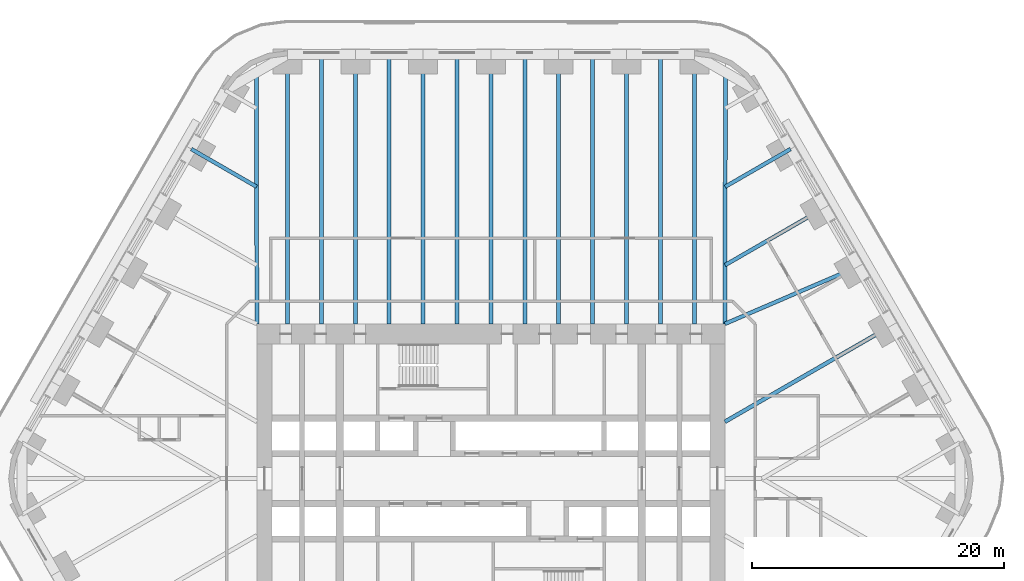
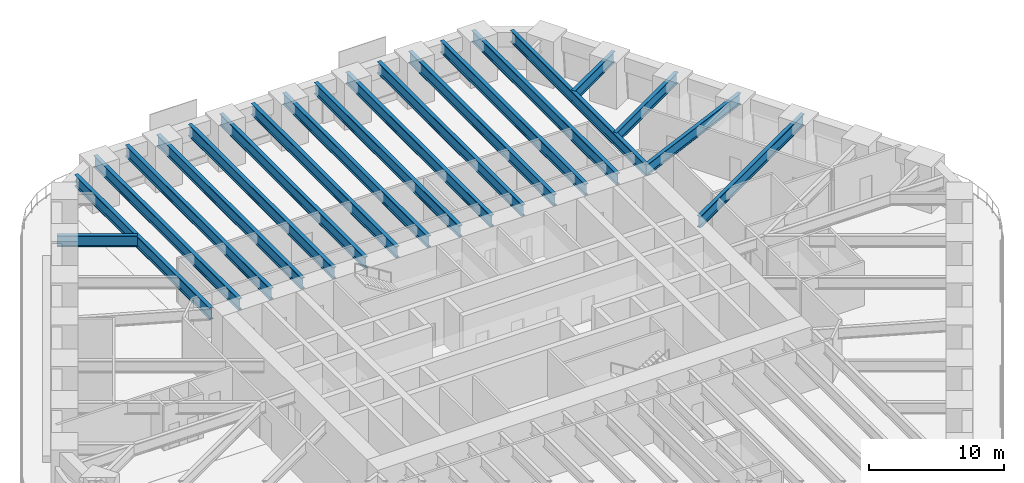
# One storey, part 10 of 23: 20 beams.
"""IFC4 building model written with IfcOpenShell, lengths in metres."""

import ifcopenshell
import ifcopenshell.guid

model = None  # the IFC model being written
_history = None  # IfcOwnerHistory: only IFC2X3 demands one
_inside = {}  # id of a spatial element -> (the spatial element, [elements in it])
_under = {}  # id of a project, library or spatial element -> (it, [spatial elements below it])
_declared = {}  # id of a project -> (the project, [libraries it declares])
_typed = {}  # id of a type object -> (the type object, [elements of that type])
_made_of = {}  # id of a material, layer set ... -> (it, [elements and type objects made of it])


def new_model(schema):
    """Start an empty IFC model of exactly this schema.

    Asked for "IFC4X3", IfcOpenShell would pick the latest addendum, in which some entities
    have other attributes; the version numbers below select the first issue.
    IFC2X3 requires an IfcOwnerHistory on every rooted entity: one is made here for all.
    """
    global model, _history
    if schema == "IFC4X3":
        model = ifcopenshell.file(schema_version=(4, 3, 0, 0))
    else:
        model = ifcopenshell.file(schema=schema)
    _inside.clear()
    _under.clear()
    _declared.clear()
    _typed.clear()
    _made_of.clear()
    _history = None
    if model.schema == "IFC2X3":
        org = make("IfcOrganization", Name="unknown")
        user = make(
            "IfcPersonAndOrganization",
            ThePerson=make("IfcPerson", FamilyName="unknown"),
            TheOrganization=org,
        )
        app = make(
            "IfcApplication",
            ApplicationDeveloper=org,
            Version="unknown",
            ApplicationFullName="unknown",
            ApplicationIdentifier="unknown",
        )
        _history = make(
            "IfcOwnerHistory",
            OwningUser=user,
            OwningApplication=app,
            ChangeAction="ADDED",
            CreationDate=0,
        )
    return model


def make(cls, **values):
    """One entity of the class cls with the attributes given. An attribute that is None is left unset."""
    return model.create_entity(
        cls, **{name: value for name, value in values.items() if value is not None}
    )


def rooted(cls, **values):
    """An entity with a GlobalId (a new one), such as an element, a storey or a relation."""
    return make(cls, GlobalId=ifcopenshell.guid.new(), OwnerHistory=_history, **values)


def si_unit(unit_type, name, prefix=None):
    """IfcSIUnit, for example si_unit("LENGTHUNIT", "METRE", prefix="MILLI")."""
    return make("IfcSIUnit", UnitType=unit_type, Prefix=prefix, Name=name)


def assignment(units):
    """IfcUnitAssignment: the units of a project."""
    return None if units is None else make("IfcUnitAssignment", Units=units)


def point(xyz):
    """IfcCartesianPoint."""
    return None if xyz is None else make("IfcCartesianPoint", Coordinates=xyz)


def direction(xyz):
    """IfcDirection."""
    return None if xyz is None else make("IfcDirection", DirectionRatios=xyz)


def frame(location, z_axis=None, x_axis=None):
    """IfcAxis2Placement3D, a coordinate frame: its origin and axes. An axis left out is left unset."""
    return make(
        "IfcAxis2Placement3D",
        Location=point(location),
        Axis=direction(z_axis),
        RefDirection=direction(x_axis),
    )


def frame_2d(location, x_axis=None):
    """IfcAxis2Placement2D, a coordinate frame in the plane: its origin and x axis."""
    return make(
        "IfcAxis2Placement2D", Location=point(location), RefDirection=direction(x_axis)
    )


def origin():
    """The frame at (0, 0, 0) with its axes left unset."""
    return frame((0.0, 0.0, 0.0))


def origin_2d():
    """The frame at (0, 0) in the plane with its x axis left unset."""
    return frame_2d((0.0, 0.0))


def place(relative_to, where):
    """IfcLocalPlacement: puts the frame where relative to a parent placement (None: the world)."""
    return make(
        "IfcLocalPlacement", PlacementRelTo=relative_to, RelativePlacement=where
    )


def context(
    kind, dimensions, precision=None, world=None, true_north=None, identifier=None
):
    """IfcGeometricRepresentationContext, for example the 3D "Model" context."""
    return make(
        "IfcGeometricRepresentationContext",
        ContextIdentifier=identifier,
        ContextType=kind,
        CoordinateSpaceDimension=dimensions,
        Precision=precision,
        WorldCoordinateSystem=world,
        TrueNorth=true_north,
    )


def subcontext(parent, identifier, kind, view, scale=None):
    """IfcGeometricRepresentationSubContext, for example "Body" below "Model"."""
    return make(
        "IfcGeometricRepresentationSubContext",
        ContextIdentifier=identifier,
        ContextType=kind,
        ParentContext=parent,
        TargetScale=scale,
        TargetView=view,
    )


def project(units=None, contexts=None):
    """IfcProject with its units and contexts."""
    return rooted(
        "IfcProject",
        Name="project",
        RepresentationContexts=contexts,
        UnitsInContext=assignment(units),
    )


def spatial(cls, under=None, at=None, **own):
    """A site, building, storey or space (cls), placed at a placement, below another one or the project."""
    s = rooted(cls, ObjectPlacement=at, **own)
    if under is not None:
        _under.setdefault(under.id(), (under, []))[1].append(s)
    return s


def profile(cls, at=None, kind="AREA", **sizes):
    """A parametric profile (cls). Its sizes go by their IFC names, for example OverallWidth=200.0."""
    return make(cls, ProfileType=kind, Position=at, **sizes)


def i_section(**sizes):
    """IfcIShapeProfileDef."""
    return profile("IfcIShapeProfileDef", **sizes)


def extrude(swept, where, along, depth):
    """IfcExtrudedAreaSolid: the profile swept, set in the frame where, extruded along a direction by depth."""
    return make(
        "IfcExtrudedAreaSolid",
        SweptArea=swept,
        Position=where,
        ExtrudedDirection=direction(along),
        Depth=depth,
    )


def shape(context_of_items, identifier, shape_type, items):
    """IfcShapeRepresentation: the items that make up one representation, for example the "Body"."""
    return make(
        "IfcShapeRepresentation",
        ContextOfItems=context_of_items,
        RepresentationIdentifier=identifier,
        RepresentationType=shape_type,
        Items=items,
    )


def material(Name=None, Category=None):
    """IfcMaterial."""
    return make("IfcMaterial", Name=Name, Category=Category)


def material_profile(
    of_material, cross_section, Name=None, Category=None, Priority=None
):
    """IfcMaterialProfile: a cross section and its material."""
    return make(
        "IfcMaterialProfile",
        Name=Name,
        Material=of_material,
        Profile=cross_section,
        Priority=Priority,
        Category=Category,
    )


def profile_set(profiles, Name=None, composite=None):
    """IfcMaterialProfileSet."""
    return make(
        "IfcMaterialProfileSet",
        Name=Name,
        MaterialProfiles=profiles,
        CompositeProfile=composite,
    )


def made_of(thing, what):
    """Note that an element or type object is made of a material, layer set ...; save() writes the relation."""
    if what is not None:
        _made_of.setdefault(what.id(), (what, []))[1].append(thing)
    return thing


def type_object(cls, material=None, **own):
    """A type object (cls), such as IfcWallType, which elements share."""
    return made_of(rooted(cls, **own), material)


def element(
    cls,
    number,
    at=None,
    inside=None,
    cuts=None,
    type_object=None,
    material=None,
    context=None,
    identifier="Body",
    shape_type=None,
    held_by="IfcProductDefinitionShape",
    body=None,
    shapes=None,
    **own,
):
    """One element of the class cls, such as IfcWall. Its Tag is "e" and its number.

    at: its placement. inside: the storey or other place that contains it. cuts: it is an
    opening in that element (IfcRelVoidsElement). A single representation is given by context,
    identifier, shape_type and body (its items); several are given by shapes. held_by: the class
    of the entity that holds the representations. save() writes the other relations.
    """
    e = rooted(cls, Tag="e%d" % number, ObjectPlacement=at, **own)
    if body is not None:
        shapes = [shape(context, identifier, shape_type, body)]
    if shapes is not None:
        e.Representation = make(held_by, Representations=shapes)
    if inside is not None:
        _inside.setdefault(inside.id(), (inside, []))[1].append(e)
    if cuts is not None:
        rooted(
            "IfcRelVoidsElement", RelatingBuildingElement=cuts, RelatedOpeningElement=e
        )
    if type_object is not None:
        _typed.setdefault(type_object.id(), (type_object, []))[1].append(e)
    return made_of(e, material)


def aggregate(whole, parts):
    """IfcRelAggregates: a whole, such as a stair, and the parts it consists of."""
    return rooted("IfcRelAggregates", RelatingObject=whole, RelatedObjects=parts)


def save(model, path):
    """Write the relations noted so far, then the file.

    IfcRelAggregates (storeys below a building ...), IfcRelContainedInSpatialStructure (elements
    in a storey), IfcRelDefinesByType, IfcRelAssociatesMaterial and IfcRelDeclares: one each for
    every whole, place, type object, material and project.
    """
    for whole, parts in _under.values():
        aggregate(whole, parts)
    for where, things in _inside.values():
        rooted(
            "IfcRelContainedInSpatialStructure",
            RelatedElements=things,
            RelatingStructure=where,
        )
    for kind, things in _typed.values():
        rooted("IfcRelDefinesByType", RelatedObjects=things, RelatingType=kind)
    for what, things in _made_of.values():
        rooted("IfcRelAssociatesMaterial", RelatedObjects=things, RelatingMaterial=what)
    for by, libraries in _declared.values():
        rooted("IfcRelDeclares", RelatingContext=by, RelatedDefinitions=libraries)
    model.write(path)


model = new_model("IFC4")

# Units and contexts
model_context = context("Model", 3, precision=1e-05, world=origin(), true_north=direction((0.0, 1.0)))
body_context = subcontext(model_context, "Body", "Model", "MODEL_VIEW")
ifc_project = project(units=[si_unit("LENGTHUNIT", "METRE"), si_unit("AREAUNIT", "SQUARE_METRE"), si_unit("VOLUMEUNIT", "CUBIC_METRE"), si_unit("PLANEANGLEUNIT", "RADIAN"), si_unit("MASSUNIT", "GRAM", prefix="KILO")], contexts=[model_context])

# Site, building, storey
site_placement = place(None, origin())
site = spatial("IfcSite", under=ifc_project, at=site_placement, CompositionType="ELEMENT")
building_placement = place(site_placement, origin())
building = spatial("IfcBuilding", under=site, at=building_placement, Name="Tarfa Lantern Tower", CompositionType="ELEMENT")
storey_placement = place(building_placement, frame((0.0, 0.0, 40.300048828125)))
storey = spatial("IfcBuildingStorey", under=building, at=storey_placement, Name="L08", CompositionType="ELEMENT", Elevation=40.300048828125)

# Beams
ifc_material = material(Name="Steel S460M", Category="steel")
ifc_material_profile_1 = material_profile(ifc_material, i_section(OverallWidth=0.302001953125, OverallDepth=1.008056640625, WebThickness=0.02099609375, FlangeThickness=0.0400390625, FilletRadius=0.030029296875, at=origin_2d()), Name="UB1016x305x349")
ifc_profile_set_1 = profile_set([ifc_material_profile_1], Name="Steel S460M")
beam_type_1 = type_object("IfcBeamType", Name="UB1016x305x349", PredefinedType="BEAM", material=ifc_profile_set_1)
beam_1_placement = place(storey_placement, frame((29.202392578125, 16.860107421875, 3.495849609375), z_axis=(-0.918635483867, -0.395106122175, 0.0), x_axis=(0.395106122175, -0.918635483867, 0.0)))
element("IfcBeam", 1, at=beam_1_placement, inside=storey, type_object=beam_type_1, Name="Floor beam NE3", PredefinedType="BEAM", context=body_context, shape_type="SweptSolid", body=[
    extrude(i_section(OverallWidth=0.302001953125, OverallDepth=1.008056640625, WebThickness=0.02099609375, FlangeThickness=0.0400390625, FilletRadius=0.030029296875, at=origin_2d()), origin(), (0.0, 0.0, 1.0), 11.541259765625),
])
beam_2_placement = place(storey_placement, frame((26.508056640625, 21.526611328125, 3.495849609375), z_axis=(-0.866035355799, -0.49998276221, 0.0), x_axis=(0.49998276221, -0.866035355799, 0.0)))
element("IfcBeam", 2, at=beam_2_placement, inside=storey, type_object=beam_type_1, Name="Floor beam NE4", PredefinedType="BEAM", context=body_context, shape_type="SweptSolid", body=[
    extrude(i_section(OverallWidth=0.302001953125, OverallDepth=1.008056640625, WebThickness=0.02099609375, FlangeThickness=0.0400390625, FilletRadius=0.030029296875, at=origin_2d()), origin(), (0.0, 0.0, 1.0), 9.119873046875),
])
for number, where, z_axis, x_axis, name in (
    (3, (23.813720703125, 26.193359375, 3.495849609375), (-0.866015997389, -0.500016292001, 0.0), (0.500016292001, -0.866015997389, 0.0), "Floor beam NE5"),
    (4, (-23.813720703125, 26.193359375, 3.495849609375), (0.866015997389, -0.500016292001, 0.0), (0.500016292001, 0.866015997389, 0.0), "Floor beam NW1"),
):
    element("IfcBeam", number, at=place(storey_placement, frame(where, z_axis=z_axis, x_axis=x_axis)), inside=storey, type_object=beam_type_1, Name=name, PredefinedType="BEAM", context=body_context, shape_type="SweptSolid", body=[
        extrude(i_section(OverallWidth=0.302001953125, OverallDepth=1.008056640625, WebThickness=0.02099609375, FlangeThickness=0.0400390625, FilletRadius=0.030029296875, at=origin_2d()), origin(), (0.0, 0.0, 1.0), 5.993408203125),
    ])
ifc_material_profile_2 = material_profile(ifc_material, i_section(OverallWidth=0.314208984375, OverallDepth=1.055908203125, WebThickness=0.035888671875, FlangeThickness=0.06396484375, FilletRadius=0.030029296875, at=origin_2d()), Name="UB1016x305x584")
ifc_profile_set_2 = profile_set([ifc_material_profile_2], Name="Steel S460M")
beam_type_2 = type_object("IfcBeamType", Name="UB1016x305x584", PredefinedType="BEAM", material=ifc_profile_set_2)
for number, where, z_axis, x_axis, name in (
    (5, (18.60009765625, 12.300048828125, 3.471923828125), (0.00212508222, 0.99999774201, 0.0), (-0.99999774201, 0.00212508222, 0.0), "Hip girder NE"),
    (6, (-18.60009765625, 12.300048828125, 3.471923828125), (-0.00212508222, 0.99999774201, 0.0), (-0.99999774201, -0.00212508222, 0.0), "Hip girder NW"),
):
    element("IfcBeam", number, at=place(storey_placement, frame(where, z_axis=z_axis, x_axis=x_axis)), inside=storey, type_object=beam_type_2, Name=name, PredefinedType="BEAM", context=body_context, shape_type="SweptSolid", body=[
        extrude(i_section(OverallWidth=0.314208984375, OverallDepth=1.055908203125, WebThickness=0.035888671875, FlangeThickness=0.06396484375, FilletRadius=0.030029296875, at=origin_2d()), origin(), (0.0, 0.0, 1.0), 19.989990234375),
    ])
beam_3_placement = place(storey_placement, frame((31.896728515625, 12.193359375, 3.471923828125), z_axis=(-0.866026971665, -0.499997284341, 0.0), x_axis=(0.499997284341, -0.866026971665, 0.0)))
element("IfcBeam", 7, at=beam_3_placement, inside=storey, type_object=beam_type_2, Name="Floor beam NE2", PredefinedType="BEAM", context=body_context, shape_type="SweptSolid", body=[
    extrude(i_section(OverallWidth=0.314208984375, OverallDepth=1.055908203125, WebThickness=0.035888671875, FlangeThickness=0.06396484375, FilletRadius=0.030029296875, at=origin_2d()), origin(), (0.0, 0.0, 1.0), 15.353515625),
])
for number, where, z_axis, x_axis, name in (
    (8, (16.165771484375, 33.719970703125, 3.471923828125), (0.0, -1.0, 0.0), (1.0, 0.0, 0.0), "Floor beam N0"),
    (9, (10.777099609375, 33.719970703125, 3.471923828125), (0.0, -1.0, 0.0), (1.0, 0.0, 0.0), "Floor beam N1"),
    (10, (5.388671875, 33.719970703125, 3.471923828125), (0.0, -1.0, 0.0), (1.0, 0.0, 0.0), "Floor beam N2"),
    (11, (0.0, 33.719970703125, 3.471923828125), (0.0, -1.0, 0.0), (1.0, 0.0, 0.0), "Floor beam N3"),
    (12, (-5.388671875, 33.719970703125, 3.471923828125), (0.0, -1.0, 0.0), (1.0, 0.0, 0.0), "Floor beam N4"),
    (13, (-10.777099609375, 33.719970703125, 3.471923828125), (0.0, -1.0, 0.0), (1.0, 0.0, 0.0), "Floor beam N5"),
    (14, (-16.165771484375, 33.719970703125, 3.471923828125), (0.0, -1.0, 0.0), (1.0, 0.0, 0.0), "Floor beam N6"),
    (15, (13.471435546875, 33.719970703125, 3.471923828125), (0.0, -1.0, 0.0), (1.0, 0.0, 0.0), "Floor beam N0M"),
    (16, (8.0830078125, 33.719970703125, 3.471923828125), (0.0, -1.0, 0.0), (1.0, 0.0, 0.0), "Floor beam N1M"),
    (17, (2.6943359375, 33.719970703125, 3.471923828125), (0.0, -1.0, 0.0), (1.0, 0.0, 0.0), "Floor beam N2M"),
    (18, (-2.6943359375, 33.719970703125, 3.471923828125), (0.0, -1.0, 0.0), (1.0, 0.0, 0.0), "Floor beam N3M"),
    (19, (-8.0830078125, 33.719970703125, 3.471923828125), (0.0, -1.0, 0.0), (1.0, 0.0, 0.0), "Floor beam N4M"),
    (20, (-13.471435546875, 33.719970703125, 3.471923828125), (0.0, -1.0, 0.0), (1.0, 0.0, 0.0), "Floor beam N5M"),
):
    element("IfcBeam", number, at=place(storey_placement, frame(where, z_axis=z_axis, x_axis=x_axis)), inside=storey, type_object=beam_type_2, Name=name, PredefinedType="BEAM", context=body_context, shape_type="SweptSolid", body=[
        extrude(i_section(OverallWidth=0.314208984375, OverallDepth=1.055908203125, WebThickness=0.035888671875, FlangeThickness=0.06396484375, FilletRadius=0.030029296875, at=origin_2d()), origin(), (0.0, 0.0, 1.0), 21.419921875),
    ])

save(model, "model.ifc")
